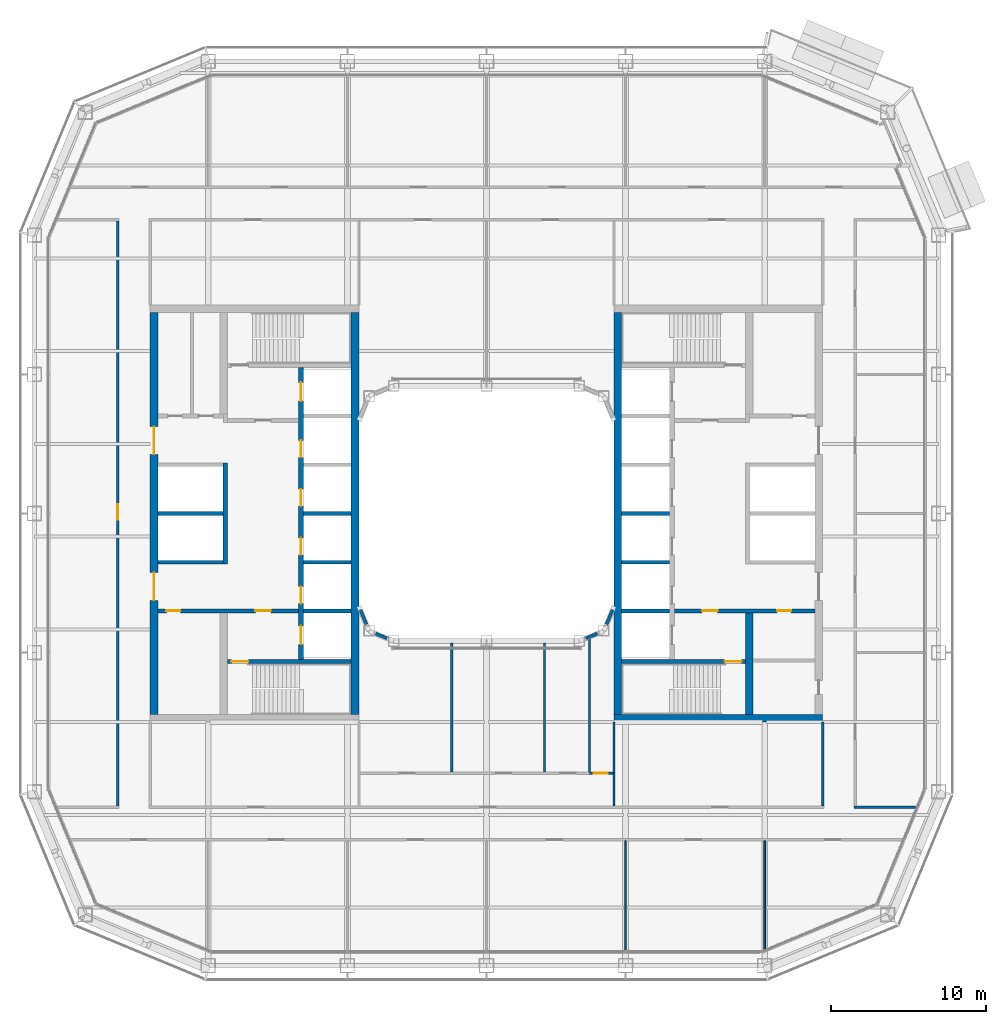
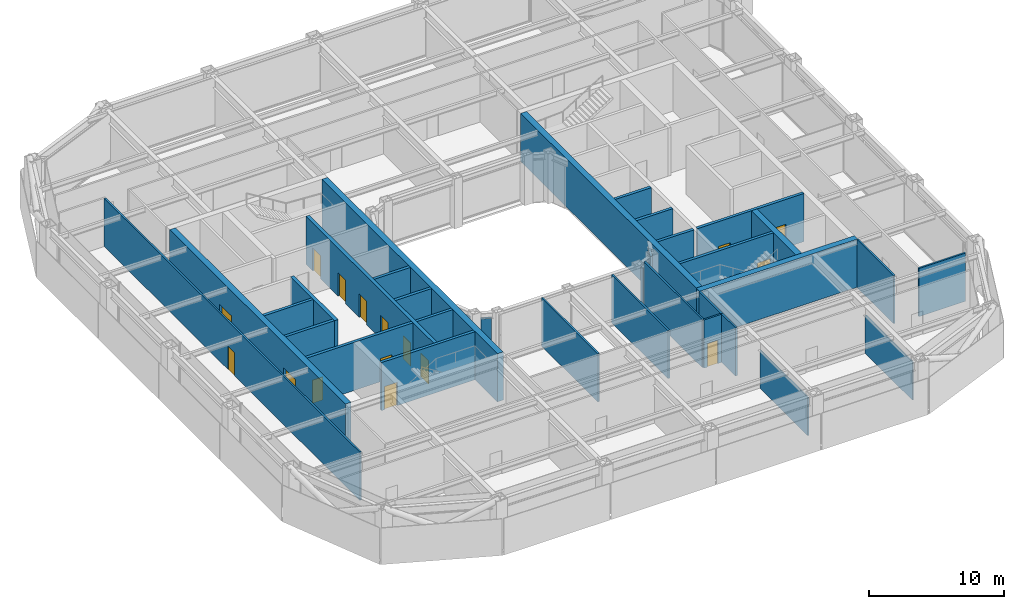
# One storey, part 12 of 23: 34 walls, 16 doors, 16 openings.
"""IFC4 building model written with IfcOpenShell, lengths in metres."""

from ifc_helpers import new_model, si_unit, direction, frame, frame_2d, origin, place, context, subcontext, project, spatial, rectangle, extrude, material, layer, layer_set, type_object, element, fill, save


model = new_model("IFC4")

# Units and contexts
model_context = context("Model", 3, precision=1e-05, world=origin(), true_north=direction((0.0, 1.0)))
body_context = subcontext(model_context, "Body", "Model", "MODEL_VIEW")
ifc_project = project(units=[si_unit("LENGTHUNIT", "METRE"), si_unit("AREAUNIT", "SQUARE_METRE"), si_unit("VOLUMEUNIT", "CUBIC_METRE"), si_unit("PLANEANGLEUNIT", "RADIAN"), si_unit("MASSUNIT", "GRAM", prefix="KILO")], contexts=[model_context])

# Site, building, storey
site_placement = place(None, origin())
site = spatial("IfcSite", under=ifc_project, at=site_placement, CompositionType="ELEMENT")
building_placement = place(site_placement, origin())
building = spatial("IfcBuilding", under=site, at=building_placement, Name="Siwar Civic Tower", CompositionType="ELEMENT")
storey_placement = place(building_placement, frame((0.0, 0.0, 131.699951171875)))
storey = spatial("IfcBuildingStorey", under=building, at=storey_placement, Name="L28", CompositionType="ELEMENT", Elevation=131.699951171875)

# Wall, opening, door
ifc_material_1 = material(Name="Gypsum board on steel studs", Category="steel")
ifc_layer_1 = layer(ifc_material_1, 0.14990234375)
ifc_layer_set_1 = layer_set([ifc_layer_1], Name="Gypsum board on steel studs")
wall_type_1 = type_object("IfcWallType", Name="COMPARTMENT PARTITION 150 EI 60", PredefinedType="PARTITIONING", material=ifc_layer_set_1)
wall_1_placement = place(storey_placement, frame((6.659912109375, -16.800048828125, 0.0), z_axis=(0.0, 0.0, 1.0), x_axis=(1.0, 0.0, 0.0)))
wall_1 = element("IfcWall", 1, at=wall_1_placement, inside=storey, type_object=wall_type_1, Name="L28/wall/P06", PredefinedType="PARTITIONING", context=body_context, shape_type="SweptSolid", body=[
    extrude(rectangle(XDim=1.51513671875, YDim=0.14990234375, at=frame_2d((0.757568359375, 0.0))), origin(), (0.0, 0.0, 1.0), 4.35009765625),
])
opening_1_placement = place(wall_1_placement, frame((0.2900390625, 0.0, 0.0)))
opening_1 = element("IfcOpeningElement", 2, at=opening_1_placement, cuts=wall_1, Name="Opening D4", PredefinedType="OPENING", context=body_context, shape_type="SweptSolid", body=[
    extrude(rectangle(XDim=0.89990234375, YDim=2.10009765625, at=frame_2d((0.449951171875, 1.050048828125))), frame((0.0, 0.0849609375, 0.0), z_axis=(0.0, -1.0, 0.0), x_axis=(1.0, 0.0, 0.0)), (0.0, 0.0, 1.0), 0.169921875),
])
ifc_material_2 = material(Name="Timber, painted", Category="wood")
door_type_1 = type_object("IfcDoorType", Name="DOOR 900 X 2100 FD60", OperationType="SINGLE_SWING_LEFT", PredefinedType="DOOR", material=ifc_material_2)
door_1_placement = place(opening_1_placement, origin())
door_1 = element("IfcDoor", 3, at=door_1_placement, inside=storey, type_object=door_type_1, Name="L28-D19", OperationType="SINGLE_SWING_LEFT", OverallHeight=2.10009765625, OverallWidth=0.89990234375, PredefinedType="DOOR", context=body_context, shape_type="SweptSolid", body=[
    extrude(rectangle(XDim=0.89990234375, YDim=2.10009765625, at=frame_2d((0.449951171875, 1.050048828125))), frame((0.0, 0.02490234375, 0.0), z_axis=(0.0, -1.0, 0.0), x_axis=(1.0, 0.0, 0.0)), (0.0, 0.0, 1.0), 0.050048828125),
])
fill(opening_1, door_1)

# Walls
wall_2_placement = place(storey_placement, frame((6.659912109375, -16.72509765625, 0.0), z_axis=(0.0, 0.0, 1.0), x_axis=(0.0, 1.0, 0.0)))
element("IfcWall", 4, at=wall_2_placement, inside=storey, type_object=wall_type_1, Name="L28/wall/P28", PredefinedType="PARTITIONING", context=body_context, shape_type="SweptSolid", body=[
    extrude(rectangle(XDim=8.59814453125, YDim=0.14990234375, at=frame_2d((4.299072265625, 0.0))), origin(), (0.0, 0.0, 1.0), 4.35009765625),
])
wall_3_placement = place(storey_placement, frame((8.25, -16.800048828125, 0.0), z_axis=(0.0, 0.0, 1.0), x_axis=(0.0, 1.0, 0.0)))
element("IfcWall", 5, at=wall_3_placement, inside=storey, type_object=wall_type_1, Name="L28/wall/P31", PredefinedType="PARTITIONING", context=body_context, shape_type="SweptSolid", body=[
    extrude(rectangle(XDim=3.300048828125, YDim=0.14990234375, at=frame_2d((1.64990234375, 0.0))), origin(), (0.0, 0.0, 1.0), 4.35009765625),
])

# Wall, openings, doors
ifc_material_3 = material(Name="Concrete C60/75", Category="concrete")
ifc_layer_2 = layer(ifc_material_3, 0.25)
ifc_layer_set_2 = layer_set([ifc_layer_2], Name="Concrete C60/75")
wall_type_2 = type_object("IfcWallType", Name="CORE-WALL-RC250", PredefinedType="SHEAR", material=ifc_layer_set_2)
wall_4_placement = place(storey_placement, frame((-12.14990234375, -6.300048828125, 0.0), z_axis=(0.0, 0.0, 1.0), x_axis=(-1.0, 0.0, 0.0)))
wall_4 = element("IfcWall", 6, at=wall_4_placement, inside=storey, type_object=wall_type_2, Name="Core wall W", PredefinedType="SHEAR", context=body_context, shape_type="SweptSolid", body=[
    extrude(rectangle(XDim=9.10009765625, YDim=0.25, at=frame_2d((4.550048828125, 0.0))), origin(), (0.0, 0.0, 1.0), 4.35009765625),
])
opening_2_placement = place(wall_4_placement, frame((1.800048828125, 0.0, 0.0)))
opening_2 = element("IfcOpeningElement", 7, at=opening_2_placement, cuts=wall_4, Name="Opening L28-CW02", PredefinedType="OPENING", context=body_context, shape_type="SweptSolid", body=[
    extrude(rectangle(XDim=1.0, YDim=2.10009765625, at=frame_2d((0.5, 1.050048828125))), frame((0.0, 0.135009765625, 0.0), z_axis=(0.0, -1.0, 0.0), x_axis=(1.0, 0.0, 0.0)), (0.0, 0.0, 1.0), 0.27001953125),
])
opening_3_placement = place(wall_4_placement, frame((7.64990234375, 0.0, 0.0)))
opening_3 = element("IfcOpeningElement", 8, at=opening_3_placement, cuts=wall_4, Name="Opening L28-CW15", PredefinedType="OPENING", context=body_context, shape_type="SweptSolid", body=[
    extrude(rectangle(XDim=0.89990234375, YDim=2.10009765625, at=frame_2d((0.449951171875, 1.050048828125))), frame((0.0, 0.135009765625, 0.0), z_axis=(0.0, -1.0, 0.0), x_axis=(1.0, 0.0, 0.0)), (0.0, 0.0, 1.0), 0.27001953125),
])
ifc_material_4 = material(Name="Steel door leaf", Category="steel")
door_type_2 = type_object("IfcDoorType", Name="CORE-DOOR-FD30S", OperationType="SINGLE_SWING_LEFT", PredefinedType="DOOR", material=ifc_material_4)
door_2_placement = place(opening_2_placement, origin())
door_2 = element("IfcDoor", 9, at=door_2_placement, inside=storey, type_object=door_type_2, Name="Service lobby door L28-CW02", OperationType="SINGLE_SWING_RIGHT", OverallHeight=2.10009765625, OverallWidth=1.0, PredefinedType="DOOR", context=body_context, shape_type="SweptSolid", body=[
    extrude(rectangle(XDim=1.0, YDim=2.10009765625, at=frame_2d((0.5, 1.050048828125))), frame((0.0, 0.02490234375, 0.0), z_axis=(0.0, -1.0, 0.0), x_axis=(1.0, 0.0, 0.0)), (0.0, 0.0, 1.0), 0.050048828125),
])
fill(opening_2, door_2)
ifc_material_5 = material(Name="Steel door leaf", Category="steel")
door_type_3 = type_object("IfcDoorType", Name="CORE-DOOR-ROOM", OperationType="SINGLE_SWING_LEFT", PredefinedType="DOOR", material=ifc_material_5)
door_3_placement = place(opening_3_placement, origin())
door_3 = element("IfcDoor", 10, at=door_3_placement, inside=storey, type_object=door_type_3, Name="Core room door L28-CW15", OperationType="SINGLE_SWING_LEFT", OverallHeight=2.10009765625, OverallWidth=0.89990234375, PredefinedType="DOOR", context=body_context, shape_type="SweptSolid", body=[
    extrude(rectangle(XDim=0.89990234375, YDim=2.10009765625, at=frame_2d((0.449951171875, 1.050048828125))), frame((0.0, 0.02490234375, 0.0), z_axis=(0.0, -1.0, 0.0), x_axis=(1.0, 0.0, 0.0)), (0.0, 0.0, 1.0), 0.050048828125),
])
fill(opening_3, door_3)

# Walls
for number, where, z_axis, x_axis, name in (
    (11, (-17.050048828125, 0.0, 0.0), (0.0, 0.0, 1.0), (-1.0, 0.0, 0.0), "Core wall W"),
    (12, (-17.050048828125, -3.14990234375, 0.0), (0.0, 0.0, 1.0), (-1.0, 0.0, 0.0), "Core wall W"),
):
    element("IfcWall", number, at=place(storey_placement, frame(where, z_axis=z_axis, x_axis=x_axis)), inside=storey, type_object=wall_type_2, Name=name, PredefinedType="SHEAR", context=body_context, shape_type="SweptSolid", body=[
        extrude(rectangle(XDim=4.199951171875, YDim=0.25, at=frame_2d((2.10009765625, 0.0))), origin(), (0.0, 0.0, 1.0), 4.35009765625),
    ])
for number, where, z_axis, x_axis, name in (
    (13, (-8.75, 0.0, 0.0), (0.0, 0.0, 1.0), (-1.0, 0.0, 0.0), "Core wall W"),
    (14, (-8.75, -3.14990234375, 0.0), (0.0, 0.0, 1.0), (-1.0, 0.0, 0.0), "Core wall W"),
    (15, (-8.75, -6.300048828125, 0.0), (0.0, 0.0, 1.0), (-1.0, 0.0, 0.0), "Core wall W"),
):
    element("IfcWall", number, at=place(storey_placement, frame(where, z_axis=z_axis, x_axis=x_axis)), inside=storey, type_object=wall_type_2, Name=name, PredefinedType="SHEAR", context=body_context, shape_type="SweptSolid", body=[
        extrude(rectangle(XDim=3.10009765625, YDim=0.25, at=frame_2d((1.550048828125, 0.0))), origin(), (0.0, 0.0, 1.0), 4.35009765625),
    ])

# Wall, opening, door
wall_5_placement = place(storey_placement, frame((-8.75, -9.574951171875, 0.0), z_axis=(0.0, 0.0, 1.0), x_axis=(-1.0, 0.0, 0.0)))
wall_5 = element("IfcWall", 16, at=wall_5_placement, inside=storey, type_object=wall_type_2, Name="Core wall W", PredefinedType="SHEAR", context=body_context, shape_type="SweptSolid", body=[
    extrude(rectangle(XDim=8.0, YDim=0.25, at=frame_2d((4.0, 0.0))), origin(), (0.0, 0.0, 1.0), 4.35009765625),
])
opening_4_placement = place(wall_5_placement, frame((6.64990234375, 0.0, 0.0)))
opening_4 = element("IfcOpeningElement", 17, at=opening_4_placement, cuts=wall_5, Name="Opening L28-CW04", PredefinedType="OPENING", context=body_context, shape_type="SweptSolid", body=[
    extrude(rectangle(XDim=1.10009765625, YDim=2.10009765625, at=frame_2d((0.550048828125, 1.050048828125))), frame((0.0, 0.135009765625, 0.0), z_axis=(0.0, -1.0, 0.0), x_axis=(1.0, 0.0, 0.0)), (0.0, 0.0, 1.0), 0.27001953125),
])
ifc_material_6 = material(Name="Steel door leaf", Category="steel")
door_type_4 = type_object("IfcDoorType", Name="CORE-DOOR-FD60S", OperationType="SINGLE_SWING_LEFT", PredefinedType="DOOR", material=ifc_material_6)
door_4_placement = place(opening_4_placement, origin())
door_4 = element("IfcDoor", 18, at=door_4_placement, inside=storey, type_object=door_type_4, Name="Stair door L28-CW04", OperationType="SINGLE_SWING_LEFT", OverallHeight=2.10009765625, OverallWidth=1.10009765625, PredefinedType="DOOR", context=body_context, shape_type="SweptSolid", body=[
    extrude(rectangle(XDim=1.10009765625, YDim=2.10009765625, at=frame_2d((0.550048828125, 1.050048828125))), frame((0.0, 0.02490234375, 0.0), z_axis=(0.0, -1.0, 0.0), x_axis=(1.0, 0.0, 0.0)), (0.0, 0.0, 1.0), 0.050048828125),
])
fill(opening_4, door_4)

# Wall, openings, doors
wall_6_placement = place(storey_placement, frame((12.14990234375, -6.300048828125, 0.0), z_axis=(0.0, 0.0, 1.0), x_axis=(1.0, 0.0, 0.0)))
wall_6 = element("IfcWall", 19, at=wall_6_placement, inside=storey, type_object=wall_type_2, Name="Core wall E", PredefinedType="SHEAR", context=body_context, shape_type="SweptSolid", body=[
    extrude(rectangle(XDim=9.10009765625, YDim=0.25, at=frame_2d((4.550048828125, 0.0))), origin(), (0.0, 0.0, 1.0), 4.35009765625),
])
opening_5_placement = place(wall_6_placement, frame((1.800048828125, 0.0, 0.0)))
opening_5 = element("IfcOpeningElement", 20, at=opening_5_placement, cuts=wall_6, Name="Opening L28-CE02", PredefinedType="OPENING", context=body_context, shape_type="SweptSolid", body=[
    extrude(rectangle(XDim=1.0, YDim=2.10009765625, at=frame_2d((0.5, 1.050048828125))), frame((0.0, 0.135009765625, 0.0), z_axis=(0.0, -1.0, 0.0), x_axis=(1.0, 0.0, 0.0)), (0.0, 0.0, 1.0), 0.27001953125),
])
opening_6_placement = place(wall_6_placement, frame((6.64990234375, 0.0, 0.0)))
opening_6 = element("IfcOpeningElement", 21, at=opening_6_placement, cuts=wall_6, Name="Opening L28-CE14", PredefinedType="OPENING", context=body_context, shape_type="SweptSolid", body=[
    extrude(rectangle(XDim=0.89990234375, YDim=2.10009765625, at=frame_2d((0.449951171875, 1.050048828125))), frame((0.0, 0.135009765625, 0.0), z_axis=(0.0, -1.0, 0.0), x_axis=(1.0, 0.0, 0.0)), (0.0, 0.0, 1.0), 0.27001953125),
])
door_5_placement = place(opening_5_placement, origin())
door_5 = element("IfcDoor", 22, at=door_5_placement, inside=storey, type_object=door_type_2, Name="Service lobby door L28-CE02", OperationType="SINGLE_SWING_LEFT", OverallHeight=2.10009765625, OverallWidth=1.0, PredefinedType="DOOR", context=body_context, shape_type="SweptSolid", body=[
    extrude(rectangle(XDim=1.0, YDim=2.10009765625, at=frame_2d((0.5, 1.050048828125))), frame((0.0, 0.02490234375, 0.0), z_axis=(0.0, -1.0, 0.0), x_axis=(1.0, 0.0, 0.0)), (0.0, 0.0, 1.0), 0.050048828125),
])
fill(opening_5, door_5)
door_6_placement = place(opening_6_placement, origin())
door_6 = element("IfcDoor", 23, at=door_6_placement, inside=storey, type_object=door_type_3, Name="Core room door L28-CE14", OperationType="SINGLE_SWING_LEFT", OverallHeight=2.10009765625, OverallWidth=0.89990234375, PredefinedType="DOOR", context=body_context, shape_type="SweptSolid", body=[
    extrude(rectangle(XDim=0.89990234375, YDim=2.10009765625, at=frame_2d((0.449951171875, 1.050048828125))), frame((0.0, 0.02490234375, 0.0), z_axis=(0.0, -1.0, 0.0), x_axis=(1.0, 0.0, 0.0)), (0.0, 0.0, 1.0), 0.050048828125),
])
fill(opening_6, door_6)

# Walls
for number, where, z_axis, x_axis, name in (
    (24, (8.75, 0.0, 0.0), (0.0, 0.0, 1.0), (1.0, 0.0, 0.0), "Core wall E"),
    (25, (8.75, -3.14990234375, 0.0), (0.0, 0.0, 1.0), (1.0, 0.0, 0.0), "Core wall E"),
    (26, (8.75, -6.300048828125, 0.0), (0.0, 0.0, 1.0), (1.0, 0.0, 0.0), "Core wall E"),
):
    element("IfcWall", number, at=place(storey_placement, frame(where, z_axis=z_axis, x_axis=x_axis)), inside=storey, type_object=wall_type_2, Name=name, PredefinedType="SHEAR", context=body_context, shape_type="SweptSolid", body=[
        extrude(rectangle(XDim=3.10009765625, YDim=0.25, at=frame_2d((1.550048828125, 0.0))), origin(), (0.0, 0.0, 1.0), 4.35009765625),
    ])

# Wall, opening, door
wall_7_placement = place(storey_placement, frame((8.75, -9.574951171875, 0.0), z_axis=(0.0, 0.0, 1.0), x_axis=(1.0, 0.0, 0.0)))
wall_7 = element("IfcWall", 27, at=wall_7_placement, inside=storey, type_object=wall_type_2, Name="Core wall E", PredefinedType="SHEAR", context=body_context, shape_type="SweptSolid", body=[
    extrude(rectangle(XDim=8.0, YDim=0.25, at=frame_2d((4.0, 0.0))), origin(), (0.0, 0.0, 1.0), 4.35009765625),
])
opening_7_placement = place(wall_7_placement, frame((6.64990234375, 0.0, 0.0)))
opening_7 = element("IfcOpeningElement", 28, at=opening_7_placement, cuts=wall_7, Name="Opening L28-CE04", PredefinedType="OPENING", context=body_context, shape_type="SweptSolid", body=[
    extrude(rectangle(XDim=1.10009765625, YDim=2.10009765625, at=frame_2d((0.550048828125, 1.050048828125))), frame((0.0, 0.135009765625, 0.0), z_axis=(0.0, -1.0, 0.0), x_axis=(1.0, 0.0, 0.0)), (0.0, 0.0, 1.0), 0.27001953125),
])
door_7_placement = place(opening_7_placement, origin())
door_7 = element("IfcDoor", 29, at=door_7_placement, inside=storey, type_object=door_type_4, Name="Stair door L28-CE04", OperationType="SINGLE_SWING_RIGHT", OverallHeight=2.10009765625, OverallWidth=1.10009765625, PredefinedType="DOOR", context=body_context, shape_type="SweptSolid", body=[
    extrude(rectangle(XDim=1.10009765625, YDim=2.10009765625, at=frame_2d((0.550048828125, 1.050048828125))), frame((0.0, 0.02490234375, 0.0), z_axis=(0.0, -1.0, 0.0), x_axis=(1.0, 0.0, 0.0)), (0.0, 0.0, 1.0), 0.050048828125),
])
fill(opening_7, door_7)

# Wall, openings, doors
ifc_material_7 = material(Name="Concrete C60/75", Category="concrete")
ifc_layer_3 = layer(ifc_material_7, 0.300048828125)
ifc_layer_set_3 = layer_set([ifc_layer_3], Name="Concrete C60/75")
wall_type_3 = type_object("IfcWallType", Name="CORE-WALL-RC300", PredefinedType="SHEAR", material=ifc_layer_set_3)
wall_8_placement = place(storey_placement, frame((-12.0, -9.449951171875, 0.0), z_axis=(0.0, 0.0, 1.0), x_axis=(0.0, 1.0, 0.0)))
wall_8 = element("IfcWall", 30, at=wall_8_placement, inside=storey, type_object=wall_type_3, Name="Core wall W", PredefinedType="SHEAR", context=body_context, shape_type="SweptSolid", body=[
    extrude(rectangle(XDim=18.89990234375, YDim=0.300048828125, at=frame_2d((9.449951171875, 0.0))), origin(), (0.0, 0.0, 1.0), 4.35009765625),
])
opening_8_placement = place(wall_8_placement, frame((3.625, 0.0, 0.0)))
opening_8 = element("IfcOpeningElement", 31, at=opening_8_placement, cuts=wall_8, Name="Opening L28-CW07", PredefinedType="OPENING", context=body_context, shape_type="SweptSolid", body=[
    extrude(rectangle(XDim=1.10009765625, YDim=2.10009765625, at=frame_2d((0.550048828125, 1.050048828125))), frame((0.0, 0.16015625, 0.0), z_axis=(0.0, -1.0, 0.0), x_axis=(1.0, 0.0, 0.0)), (0.0, 0.0, 1.0), 0.320068359375),
])
opening_9_placement = place(wall_8_placement, frame((6.77490234375, 0.0, 0.0)))
opening_9 = element("IfcOpeningElement", 32, at=opening_9_placement, cuts=wall_8, Name="Opening L28-CW08", PredefinedType="OPENING", context=body_context, shape_type="SweptSolid", body=[
    extrude(rectangle(XDim=1.10009765625, YDim=2.10009765625, at=frame_2d((0.550048828125, 1.050048828125))), frame((0.0, 0.16015625, 0.0), z_axis=(0.0, -1.0, 0.0), x_axis=(1.0, 0.0, 0.0)), (0.0, 0.0, 1.0), 0.320068359375),
])
opening_10_placement = place(wall_8_placement, frame((9.925048828125, 0.0, 0.0)))
opening_10 = element("IfcOpeningElement", 33, at=opening_10_placement, cuts=wall_8, Name="Opening L28-CW09", PredefinedType="OPENING", context=body_context, shape_type="SweptSolid", body=[
    extrude(rectangle(XDim=1.10009765625, YDim=2.10009765625, at=frame_2d((0.550048828125, 1.050048828125))), frame((0.0, 0.16015625, 0.0), z_axis=(0.0, -1.0, 0.0), x_axis=(1.0, 0.0, 0.0)), (0.0, 0.0, 1.0), 0.320068359375),
])
opening_11_placement = place(wall_8_placement, frame((13.074951171875, 0.0, 0.0)))
opening_11 = element("IfcOpeningElement", 34, at=opening_11_placement, cuts=wall_8, Name="Opening L28-CW10", PredefinedType="OPENING", context=body_context, shape_type="SweptSolid", body=[
    extrude(rectangle(XDim=1.10009765625, YDim=2.10009765625, at=frame_2d((0.550048828125, 1.050048828125))), frame((0.0, 0.16015625, 0.0), z_axis=(0.0, -1.0, 0.0), x_axis=(1.0, 0.0, 0.0)), (0.0, 0.0, 1.0), 0.320068359375),
])
opening_12_placement = place(wall_8_placement, frame((16.72509765625, 0.0, 0.0)))
opening_12 = element("IfcOpeningElement", 35, at=opening_12_placement, cuts=wall_8, Name="Opening L28-CW11", PredefinedType="OPENING", context=body_context, shape_type="SweptSolid", body=[
    extrude(rectangle(XDim=1.199951171875, YDim=2.10009765625, at=frame_2d((0.60009765625, 1.050048828125))), frame((0.0, 0.16015625, 0.0), z_axis=(0.0, -1.0, 0.0), x_axis=(1.0, 0.0, 0.0)), (0.0, 0.0, 1.0), 0.320068359375),
])
opening_13_placement = place(wall_8_placement, frame((0.97509765625, 0.0, 0.0)))
opening_13 = element("IfcOpeningElement", 36, at=opening_13_placement, cuts=wall_8, Name="Opening L28-CW12", PredefinedType="OPENING", context=body_context, shape_type="SweptSolid", body=[
    extrude(rectangle(XDim=1.199951171875, YDim=2.10009765625, at=frame_2d((0.60009765625, 1.050048828125))), frame((0.0, 0.16015625, 0.0), z_axis=(0.0, -1.0, 0.0), x_axis=(1.0, 0.0, 0.0)), (0.0, 0.0, 1.0), 0.320068359375),
])
ifc_material_8 = material(Name="Steel door leaf", Category="steel")
door_type_5 = type_object("IfcDoorType", Name="CORE-DOOR-LD", OperationType="DOUBLE_DOOR_SLIDING", PredefinedType="DOOR", material=ifc_material_8)
door_8_placement = place(opening_8_placement, origin())
door_8 = element("IfcDoor", 37, at=door_8_placement, inside=storey, type_object=door_type_5, Name="Landing door LR1 L28-CW07", OperationType="DOUBLE_DOOR_SLIDING", OverallHeight=2.10009765625, OverallWidth=1.10009765625, PredefinedType="DOOR", context=body_context, shape_type="SweptSolid", body=[
    extrude(rectangle(XDim=1.10009765625, YDim=2.10009765625, at=frame_2d((0.550048828125, 1.050048828125))), frame((0.0, 0.02490234375, 0.0), z_axis=(0.0, -1.0, 0.0), x_axis=(1.0, 0.0, 0.0)), (0.0, 0.0, 1.0), 0.050048828125),
])
fill(opening_8, door_8)
door_9_placement = place(opening_9_placement, origin())
door_9 = element("IfcDoor", 38, at=door_9_placement, inside=storey, type_object=door_type_5, Name="Landing door LR2 L28-CW08", OperationType="DOUBLE_DOOR_SLIDING", OverallHeight=2.10009765625, OverallWidth=1.10009765625, PredefinedType="DOOR", context=body_context, shape_type="SweptSolid", body=[
    extrude(rectangle(XDim=1.10009765625, YDim=2.10009765625, at=frame_2d((0.550048828125, 1.050048828125))), frame((0.0, 0.02490234375, 0.0), z_axis=(0.0, -1.0, 0.0), x_axis=(1.0, 0.0, 0.0)), (0.0, 0.0, 1.0), 0.050048828125),
])
fill(opening_9, door_9)
door_10_placement = place(opening_10_placement, origin())
door_10 = element("IfcDoor", 39, at=door_10_placement, inside=storey, type_object=door_type_5, Name="Landing door LR3 L28-CW09", OperationType="DOUBLE_DOOR_SLIDING", OverallHeight=2.10009765625, OverallWidth=1.10009765625, PredefinedType="DOOR", context=body_context, shape_type="SweptSolid", body=[
    extrude(rectangle(XDim=1.10009765625, YDim=2.10009765625, at=frame_2d((0.550048828125, 1.050048828125))), frame((0.0, 0.02490234375, 0.0), z_axis=(0.0, -1.0, 0.0), x_axis=(1.0, 0.0, 0.0)), (0.0, 0.0, 1.0), 0.050048828125),
])
fill(opening_10, door_10)
door_11_placement = place(opening_11_placement, origin())
door_11 = element("IfcDoor", 40, at=door_11_placement, inside=storey, type_object=door_type_5, Name="Landing door LR4 L28-CW10", OperationType="DOUBLE_DOOR_SLIDING", OverallHeight=2.10009765625, OverallWidth=1.10009765625, PredefinedType="DOOR", context=body_context, shape_type="SweptSolid", body=[
    extrude(rectangle(XDim=1.10009765625, YDim=2.10009765625, at=frame_2d((0.550048828125, 1.050048828125))), frame((0.0, 0.02490234375, 0.0), z_axis=(0.0, -1.0, 0.0), x_axis=(1.0, 0.0, 0.0)), (0.0, 0.0, 1.0), 0.050048828125),
])
fill(opening_11, door_11)
ifc_material_9 = material(Name="Steel door leaf", Category="steel")
door_type_6 = type_object("IfcDoorType", Name="CORE-DOOR-LDW", OperationType="DOUBLE_DOOR_SLIDING", PredefinedType="DOOR", material=ifc_material_9)
door_12_placement = place(opening_12_placement, origin())
door_12 = element("IfcDoor", 41, at=door_12_placement, inside=storey, type_object=door_type_6, Name="Landing door FF1 L28-CW11", OperationType="DOUBLE_DOOR_SLIDING", OverallHeight=2.10009765625, OverallWidth=1.199951171875, PredefinedType="DOOR", context=body_context, shape_type="SweptSolid", body=[
    extrude(rectangle(XDim=1.199951171875, YDim=2.10009765625, at=frame_2d((0.60009765625, 1.050048828125))), frame((0.0, 0.02490234375, 0.0), z_axis=(0.0, -1.0, 0.0), x_axis=(1.0, 0.0, 0.0)), (0.0, 0.0, 1.0), 0.050048828125),
])
fill(opening_12, door_12)
door_13_placement = place(opening_13_placement, origin())
door_13 = element("IfcDoor", 42, at=door_13_placement, inside=storey, type_object=door_type_6, Name="Landing door SV1 L28-CW12", OperationType="DOUBLE_DOOR_SLIDING", OverallHeight=2.10009765625, OverallWidth=1.199951171875, PredefinedType="DOOR", context=body_context, shape_type="SweptSolid", body=[
    extrude(rectangle(XDim=1.199951171875, YDim=2.10009765625, at=frame_2d((0.60009765625, 1.050048828125))), frame((0.0, 0.02490234375, 0.0), z_axis=(0.0, -1.0, 0.0), x_axis=(1.0, 0.0, 0.0)), (0.0, 0.0, 1.0), 0.050048828125),
])
fill(opening_13, door_13)

# Wall
wall_9_placement = place(storey_placement, frame((-16.89990234375, -3.27490234375, 0.0), z_axis=(0.0, 0.0, 1.0), x_axis=(0.0, 1.0, 0.0)))
element("IfcWall", 43, at=wall_9_placement, inside=storey, type_object=wall_type_3, Name="Core wall W", PredefinedType="SHEAR", context=body_context, shape_type="SweptSolid", body=[
    extrude(rectangle(XDim=6.5498046875, YDim=0.300048828125, at=frame_2d((3.27490234375, 0.0))), origin(), (0.0, 0.0, 1.0), 4.35009765625),
])

# Wall, openings, doors
ifc_material_10 = material(Name="Concrete C60/75", Category="concrete")
ifc_layer_4 = layer(ifc_material_10, 0.5)
ifc_layer_set_4 = layer_set([ifc_layer_4], Name="Concrete C60/75")
wall_type_4 = type_object("IfcWallType", Name="CORE-WALL-RC500", PredefinedType="SHEAR", material=ifc_layer_set_4)
wall_10_placement = place(storey_placement, frame((-21.5, -13.0, 0.0), z_axis=(0.0, 0.0, 1.0), x_axis=(0.0, 1.0, 0.0)))
wall_10 = element("IfcWall", 44, at=wall_10_placement, inside=storey, type_object=wall_type_4, Name="Core wall W", PredefinedType="SHEAR", context=body_context, shape_type="SweptSolid", body=[
    extrude(rectangle(XDim=26.0, YDim=0.5, at=frame_2d((13.0, 0.0))), origin(), (0.0, 0.0, 1.0), 4.35009765625),
])
opening_14_placement = place(wall_10_placement, frame((16.824951171875, 0.0, 0.0)))
opening_14 = element("IfcOpeningElement", 45, at=opening_14_placement, cuts=wall_10, Name="Opening L28-CW05", PredefinedType="OPENING", context=body_context, shape_type="SweptSolid", body=[
    extrude(rectangle(XDim=1.800048828125, YDim=2.10009765625, at=frame_2d((0.89990234375, 1.050048828125))), frame((0.0, 0.260009765625, 0.0), z_axis=(0.0, -1.0, 0.0), x_axis=(1.0, 0.0, 0.0)), (0.0, 0.0, 1.0), 0.52001953125),
])
opening_15_placement = place(wall_10_placement, frame((7.375, 0.0, 0.0)))
opening_15 = element("IfcOpeningElement", 46, at=opening_15_placement, cuts=wall_10, Name="Opening L28-CW06", PredefinedType="OPENING", context=body_context, shape_type="SweptSolid", body=[
    extrude(rectangle(XDim=1.800048828125, YDim=2.10009765625, at=frame_2d((0.89990234375, 1.050048828125))), frame((0.0, 0.260009765625, 0.0), z_axis=(0.0, -1.0, 0.0), x_axis=(1.0, 0.0, 0.0)), (0.0, 0.0, 1.0), 0.52001953125),
])
ifc_material_11 = material(Name="Steel door leaf", Category="steel")
door_type_7 = type_object("IfcDoorType", Name="CORE-DOOR-PORT", OperationType="DOUBLE_DOOR_DOUBLE_SWING", PredefinedType="DOOR", material=ifc_material_11)
door_14_placement = place(opening_14_placement, origin())
door_14 = element("IfcDoor", 47, at=door_14_placement, inside=storey, type_object=door_type_7, Name="Core entrance door L28-CW05", OperationType="DOUBLE_DOOR_DOUBLE_SWING", OverallHeight=2.10009765625, OverallWidth=1.800048828125, PredefinedType="DOOR", context=body_context, shape_type="SweptSolid", body=[
    extrude(rectangle(XDim=1.800048828125, YDim=2.10009765625, at=frame_2d((0.89990234375, 1.050048828125))), frame((0.0, 0.02490234375, 0.0), z_axis=(0.0, -1.0, 0.0), x_axis=(1.0, 0.0, 0.0)), (0.0, 0.0, 1.0), 0.050048828125),
])
fill(opening_14, door_14)
door_15_placement = place(opening_15_placement, origin())
door_15 = element("IfcDoor", 48, at=door_15_placement, inside=storey, type_object=door_type_7, Name="Core entrance door L28-CW06", OperationType="DOUBLE_DOOR_DOUBLE_SWING", OverallHeight=2.10009765625, OverallWidth=1.800048828125, PredefinedType="DOOR", context=body_context, shape_type="SweptSolid", body=[
    extrude(rectangle(XDim=1.800048828125, YDim=2.10009765625, at=frame_2d((0.89990234375, 1.050048828125))), frame((0.0, 0.02490234375, 0.0), z_axis=(0.0, -1.0, 0.0), x_axis=(1.0, 0.0, 0.0)), (0.0, 0.0, 1.0), 0.050048828125),
])
fill(opening_15, door_15)

# Walls
wall_11_placement = place(storey_placement, frame((17.0, -13.0, 0.0), z_axis=(0.0, 0.0, 1.0), x_axis=(0.0, 1.0, 0.0)))
element("IfcWall", 49, at=wall_11_placement, inside=storey, type_object=wall_type_4, Name="Core wall E", PredefinedType="SHEAR", context=body_context, shape_type="SweptSolid", body=[
    extrude(rectangle(XDim=6.574951171875, YDim=0.5, at=frame_2d((3.28759765625, 0.0))), origin(), (0.0, 0.0, 1.0), 4.35009765625),
])
wall_12_placement = place(storey_placement, frame((8.25, -13.25, 0.0), z_axis=(0.0, 0.0, 1.0), x_axis=(1.0, 0.0, 0.0)))
element("IfcWall", 50, at=wall_12_placement, inside=storey, type_object=wall_type_4, Name="Core wall E", PredefinedType="SHEAR", context=body_context, shape_type="SweptSolid", body=[
    extrude(rectangle(XDim=13.5, YDim=0.5, at=frame_2d((6.75, 0.0))), origin(), (0.0, 0.0, 1.0), 4.35009765625),
])
ifc_material_12 = material(Name="Concrete C60/75", Category="concrete")
ifc_layer_5 = layer(ifc_material_12, 0.5)
ifc_layer_set_5 = layer_set([ifc_layer_5], Name="Concrete C60/75")
wall_type_5 = type_object("IfcWallType", Name="CORE-WALL-RC500-EXT", PredefinedType="SHEAR", material=ifc_layer_set_5)
for number, where, z_axis, x_axis, name in (
    (51, (-8.5, -13.0, 0.0), (0.0, 0.0, 1.0), (0.0, 1.0, 0.0), "Core wall W"),
    (52, (8.5, -13.0, 0.0), (0.0, 0.0, 1.0), (0.0, 1.0, 0.0), "Core wall E"),
):
    element("IfcWall", number, at=place(storey_placement, frame(where, z_axis=z_axis, x_axis=x_axis)), inside=storey, type_object=wall_type_5, Name=name, PredefinedType="SHEAR", context=body_context, shape_type="SweptSolid", body=[
        extrude(rectangle(XDim=26.0, YDim=0.5, at=frame_2d((13.0, 0.0))), origin(), (0.0, 0.0, 1.0), 4.35009765625),
    ])
ifc_material_13 = material(Name="Gypsum board on steel studs", Category="steel")
ifc_layer_6 = layer(ifc_material_13, 0.14990234375)
ifc_layer_set_6 = layer_set([ifc_layer_6], Name="Gypsum board on steel studs")
wall_type_6 = type_object("IfcWallType", Name="CORRIDOR PARTITION 150 EI 30", PredefinedType="PARTITIONING", material=ifc_layer_set_6)
wall_13_placement = place(storey_placement, frame((23.77490234375, -19.0, 0.0), z_axis=(0.0, 0.0, 1.0), x_axis=(1.0, 0.0, 0.0)))
element("IfcWall", 53, at=wall_13_placement, inside=storey, type_object=wall_type_6, Name="L28/wall/P04", PredefinedType="PARTITIONING", context=body_context, shape_type="SweptSolid", body=[
    extrude(rectangle(XDim=3.989013671875, YDim=0.14990234375, at=frame_2d((1.99462890625, 0.0))), origin(), (0.0, 0.0, 1.0), 4.35009765625),
])

# Wall, opening, door
wall_14_placement = place(storey_placement, frame((-23.85009765625, -18.925048828125, 0.0), z_axis=(0.0, 0.0, 1.0), x_axis=(0.0, 1.0, 0.0)))
wall_14 = element("IfcWall", 54, at=wall_14_placement, inside=storey, type_object=wall_type_6, Name="L28/wall/P14", PredefinedType="PARTITIONING", context=body_context, shape_type="SweptSolid", body=[
    extrude(rectangle(XDim=37.85009765625, YDim=0.14990234375, at=frame_2d((18.925048828125, 0.0))), origin(), (0.0, 0.0, 1.0), 4.35009765625),
])
opening_16_placement = place(wall_14_placement, frame((18.52490234375, 0.0, 0.0)))
opening_16 = element("IfcOpeningElement", 55, at=opening_16_placement, cuts=wall_14, Name="Opening D1", PredefinedType="OPENING", context=body_context, shape_type="SweptSolid", body=[
    extrude(rectangle(XDim=1.0, YDim=2.10009765625, at=frame_2d((0.5, 1.050048828125))), frame((0.0, 0.0849609375, 0.0), z_axis=(0.0, -1.0, 0.0), x_axis=(1.0, 0.0, 0.0)), (0.0, 0.0, 1.0), 0.169921875),
])
ifc_material_14 = material(Name="Timber, painted", Category="wood")
door_type_8 = type_object("IfcDoorType", Name="DOOR 1000 X 2100 FD30", OperationType="SINGLE_SWING_LEFT", PredefinedType="DOOR", material=ifc_material_14)
door_16_placement = place(opening_16_placement, origin())
door_16 = element("IfcDoor", 56, at=door_16_placement, inside=storey, type_object=door_type_8, Name="L28-D24", OperationType="SINGLE_SWING_RIGHT", OverallHeight=2.10009765625, OverallWidth=1.0, PredefinedType="DOOR", context=body_context, shape_type="SweptSolid", body=[
    extrude(rectangle(XDim=1.0, YDim=2.10009765625, at=frame_2d((0.5, 1.050048828125))), frame((0.0, 0.02490234375, 0.0), z_axis=(0.0, -1.0, 0.0), x_axis=(1.0, 0.0, 0.0)), (0.0, 0.0, 1.0), 0.050048828125),
])
fill(opening_16, door_16)

# Walls
for number, where, z_axis, x_axis, name in (
    (57, (-2.25, -16.72509765625, 0.0), (0.0, 0.0, 1.0), (0.0, 1.0, 0.0), "L28/wall/P23"),
    (58, (3.75, -16.72509765625, 0.0), (0.0, 0.0, 1.0), (0.0, 1.0, 0.0), "L28/wall/P27"),
):
    element("IfcWall", number, at=place(storey_placement, frame(where, z_axis=z_axis, x_axis=x_axis)), inside=storey, type_object=wall_type_6, Name=name, PredefinedType="PARTITIONING", context=body_context, shape_type="SweptSolid", body=[
        extrude(rectangle(XDim=8.35498046875, YDim=0.14990234375, at=frame_2d((4.177490234375, 0.0))), origin(), (0.0, 0.0, 1.0), 4.35009765625),
    ])
wall_15_placement = place(storey_placement, frame((8.25, -18.925048828125, 0.0), z_axis=(0.0, 0.0, 1.0), x_axis=(0.0, 1.0, 0.0)))
element("IfcWall", 59, at=wall_15_placement, inside=storey, type_object=wall_type_6, Name="L28/wall/P30", PredefinedType="PARTITIONING", context=body_context, shape_type="SweptSolid", body=[
    extrude(rectangle(XDim=2.125, YDim=0.14990234375, at=frame_2d((1.0625, 0.0))), origin(), (0.0, 0.0, 1.0), 4.35009765625),
])
wall_16_placement = place(storey_placement, frame((21.75, -18.925048828125, 0.0), z_axis=(0.0, 0.0, 1.0), x_axis=(0.0, 1.0, 0.0)))
element("IfcWall", 60, at=wall_16_placement, inside=storey, type_object=wall_type_6, Name="L28/wall/P36", PredefinedType="PARTITIONING", context=body_context, shape_type="SweptSolid", body=[
    extrude(rectangle(XDim=5.425048828125, YDim=0.14990234375, at=frame_2d((2.71240234375, 0.0))), origin(), (0.0, 0.0, 1.0), 4.35009765625),
])
ifc_material_15 = material(Name="Aluminium clad insulated panel", Category="aluminium")
ifc_layer_7 = layer(ifc_material_15, 0.199951171875)
ifc_layer_set_7 = layer_set([ifc_layer_7], Name="Aluminium clad insulated panel")
wall_type_7 = type_object("IfcWallType", Name="ENV-WALL-WELL", PredefinedType="STANDARD", material=ifc_layer_set_7)
wall_17_placement = place(storey_placement, frame((6.422607421875, -8.074951171875, 0.0), z_axis=(0.0, 0.0, 1.0), x_axis=(0.923817771127, 0.382832503518, 0.0)))
element("IfcWall", 61, at=wall_17_placement, inside=storey, type_object=wall_type_7, Name="Light well corner wall SE1", PredefinedType="STANDARD", context=body_context, shape_type="SweptSolid", body=[
    extrude(rectangle(XDim=0.807373046875, YDim=0.199951171875, at=frame_2d((0.40380859375, 0.0))), origin(), (0.0, 0.0, 1.0), 3.825927734375),
])
for number, where, z_axis, x_axis, name in (
    (62, (7.765869140625, -7.16845703125, 0.0), (0.0, 0.0, 1.0), (0.382769662028, 0.923843810301, 0.0), "Light well corner wall SE2"),
    (63, (-8.154296875, -6.23095703125, 0.0), (0.0, 0.0, 1.0), (0.382769662028, -0.923843810301, 0.0), "Light well corner wall SW1"),
):
    element("IfcWall", number, at=place(storey_placement, frame(where, z_axis=z_axis, x_axis=x_axis)), inside=storey, type_object=wall_type_7, Name=name, PredefinedType="STANDARD", context=body_context, shape_type="SweptSolid", body=[
        extrude(rectangle(XDim=1.014892578125, YDim=0.199951171875, at=frame_2d((0.50732421875, 0.0))), origin(), (0.0, 0.0, 1.0), 3.825927734375),
    ])
wall_18_placement = place(storey_placement, frame((-7.16845703125, -7.765869140625, 0.0), z_axis=(0.0, 0.0, 1.0), x_axis=(0.923817771127, -0.382832503518, 0.0)))
element("IfcWall", 64, at=wall_18_placement, inside=storey, type_object=wall_type_7, Name="Light well corner wall SW2", PredefinedType="STANDARD", context=body_context, shape_type="SweptSolid", body=[
    extrude(rectangle(XDim=0.807373046875, YDim=0.199951171875, at=frame_2d((0.40380859375, 0.0))), origin(), (0.0, 0.0, 1.0), 3.825927734375),
])
ifc_material_16 = material(Name="Gypsum board on steel studs", Category="steel")
ifc_layer_8 = layer(ifc_material_16, 0.10009765625)
ifc_layer_set_8 = layer_set([ifc_layer_8], Name="Gypsum board on steel studs")
wall_type_8 = type_object("IfcWallType", Name="PARTITION 100 GYPSUM", PredefinedType="PARTITIONING", material=ifc_layer_set_8)
wall_19_placement = place(storey_placement, frame((9.0, -28.260009765625, 0.0), z_axis=(0.0, 0.0, 1.0), x_axis=(0.0, 1.0, 0.0)))
element("IfcWall", 65, at=wall_19_placement, inside=storey, type_object=wall_type_8, Name="L28/wall/P32", PredefinedType="PARTITIONING", context=body_context, shape_type="SweptSolid", body=[
    extrude(rectangle(XDim=7.0849609375, YDim=0.10009765625, at=frame_2d((3.54248046875, 0.0))), origin(), (0.0, 0.0, 1.0), 3.449951171875),
])
wall_20_placement = place(storey_placement, frame((18.0, -28.177978515625, 0.0), z_axis=(0.0, 0.0, 1.0), x_axis=(0.0, 1.0, 0.0)))
element("IfcWall", 66, at=wall_20_placement, inside=storey, type_object=wall_type_8, Name="L28/wall/P34", PredefinedType="PARTITIONING", context=body_context, shape_type="SweptSolid", body=[
    extrude(rectangle(XDim=7.0029296875, YDim=0.10009765625, at=frame_2d((3.50146484375, 0.0))), origin(), (0.0, 0.0, 1.0), 3.449951171875),
])

save(model, "model.ifc")
